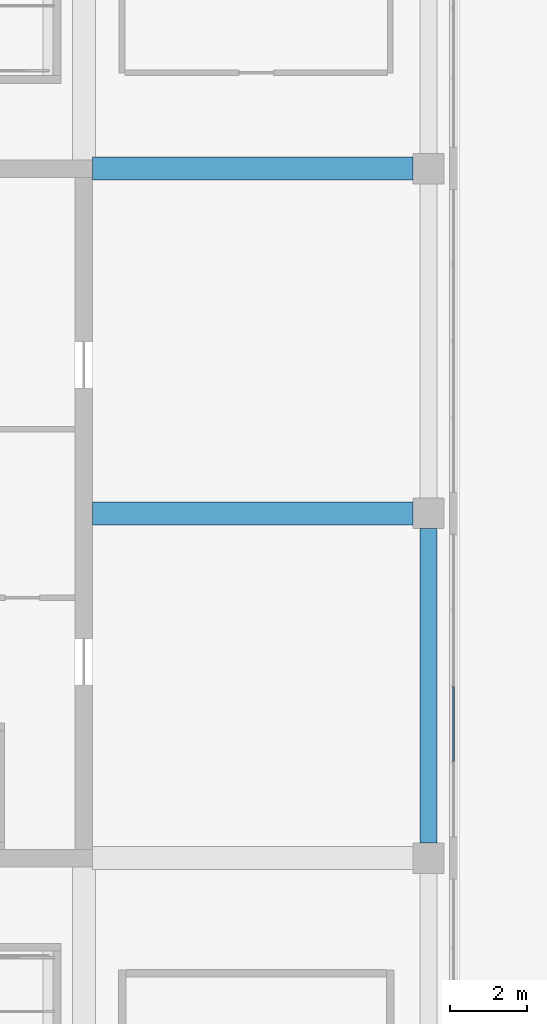
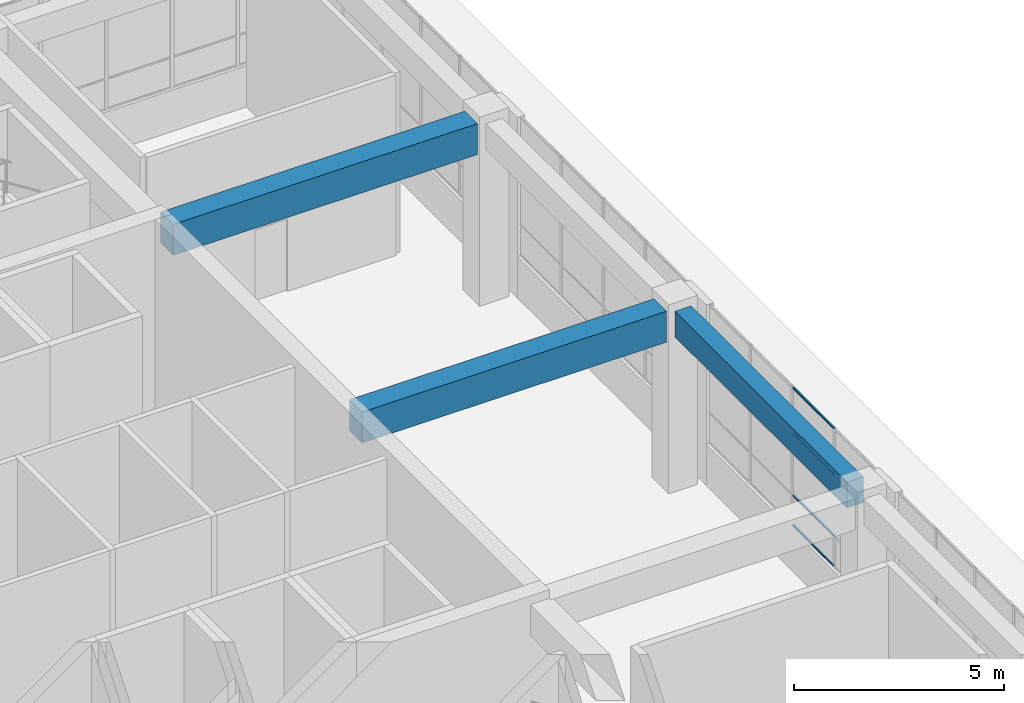
# One storey, part 36 of 72: 4 members, 3 beams, 1 element without a shape of its own.
"""IFC4 building model written with IfcOpenShell, lengths in metres."""

from ifc_helpers import new_model, si_unit, direction, frame, origin, origin_2d, place, context, subcontext, project, spatial, rectangle, hollow_rectangle, extrude, material, layer, layer_set, material_profile, profile_set, type_object, element, aggregate, save


model = new_model("IFC4")

# Units and contexts
model_context = context("Model", 3, precision=1e-05, world=origin(), true_north=direction((0.0, 1.0)))
body_context = subcontext(model_context, "Body", "Model", "MODEL_VIEW")
ifc_project = project(units=[si_unit("LENGTHUNIT", "METRE"), si_unit("AREAUNIT", "SQUARE_METRE"), si_unit("VOLUMEUNIT", "CUBIC_METRE"), si_unit("PLANEANGLEUNIT", "RADIAN"), si_unit("MASSUNIT", "GRAM", prefix="KILO")], contexts=[model_context])

# Site, building, storey
site_placement = place(None, origin())
site = spatial("IfcSite", under=ifc_project, at=site_placement, CompositionType="ELEMENT")
building_placement = place(site_placement, origin())
building = spatial("IfcBuilding", under=site, at=building_placement, Name="Tuart Plaza Theatre", CompositionType="ELEMENT")
storey_placement = place(building_placement, origin())
storey = spatial("IfcBuildingStorey", under=building, at=storey_placement, Name="L00", CompositionType="ELEMENT", Elevation=0.0)

# Beams
ifc_material_1 = material(Name="Concrete N40 (40 MPa)", Category="concrete")
ifc_material_profile_1 = material_profile(ifc_material_1, rectangle(XDim=0.449951171875, YDim=0.75, at=origin_2d()), Name="BEAM 450x750 Concrete N40 (40 MPa)")
ifc_profile_set_1 = profile_set([ifc_material_profile_1], Name="Concrete N40 (40 MPa)")
beam_type_1 = type_object("IfcBeamType", Name="BEAM 450x750 Concrete N40 (40 MPa)", PredefinedType="BEAM", material=ifc_profile_set_1)
beam_placement = place(storey_placement, frame((150.0, 65.39990234375, 4.875), z_axis=(0.0, 1.0, 0.0), x_axis=(-1.0, 0.0, 0.0)))
element("IfcBeam", 1, at=beam_placement, inside=storey, type_object=beam_type_1, Name="RB159", PredefinedType="BEAM", context=body_context, shape_type="SweptSolid", body=[
    extrude(rectangle(XDim=0.449951171875, YDim=0.75, at=origin_2d()), origin(), (0.0, 0.0, 1.0), 8.2001953125),
])
ifc_material_2 = material(Name="Concrete N40 (40 MPa)", Category="concrete")
ifc_material_profile_2 = material_profile(ifc_material_2, rectangle(XDim=0.60009765625, YDim=0.89990234375, at=origin_2d()), Name="BEAM 600x900 Concrete N40 (40 MPa)")
ifc_profile_set_2 = profile_set([ifc_material_profile_2], Name="Concrete N40 (40 MPa)")
beam_type_2 = type_object("IfcBeamType", Name="BEAM 600x900 Concrete N40 (40 MPa)", PredefinedType="BEAM", material=ifc_profile_set_2)
for number, where, z_axis, x_axis, name in (
    (2, (141.22509765625, 74.0, 4.800048828125), (1.0, 0.0, 0.0), (0.0, 1.0, 0.0), "RB155"),
    (3, (141.22509765625, 83.0, 4.800048828125), (1.0, 0.0, 0.0), (0.0, 1.0, 0.0), "RB156"),
):
    element("IfcBeam", number, at=place(storey_placement, frame(where, z_axis=z_axis, x_axis=x_axis)), inside=storey, type_object=beam_type_2, Name=name, PredefinedType="BEAM", context=body_context, shape_type="SweptSolid", body=[
        extrude(rectangle(XDim=0.60009765625, YDim=0.89990234375, at=origin_2d()), origin(), (0.0, 0.0, 1.0), 8.375),
    ])

# Curtain wall, members
ifc_material_3 = material(Name="Aluminium and glass", Category="aluminium")
ifc_layer = layer(ifc_material_3, 0.10009765625)
ifc_layer_set = layer_set([ifc_layer], Name="CURTAIN WALL 2000 module")
curtain_wall_type = type_object("IfcCurtainWallType", Name="CURTAIN WALL 2000 module", PredefinedType="NOTDEFINED", material=ifc_layer_set)
curtain_wall_placement = place(storey_placement, origin())
curtain_wall = element("IfcCurtainWall", 4, at=curtain_wall_placement, inside=storey, type_object=curtain_wall_type, Name="CW49", PredefinedType="NOTDEFINED")
ifc_material_4 = material(Name="Aluminium 6063-T5", Category="aluminium")
ifc_material_profile_3 = material_profile(ifc_material_4, hollow_rectangle(XDim=0.050048828125, YDim=0.050048828125, WallThickness=0.00390625, InnerFilletRadius=0.00390625, OuterFilletRadius=0.008056640625, at=origin_2d()), Name="RHS 50x50x4")
ifc_profile_set_3 = profile_set([ifc_material_profile_3], Name="Aluminium 6063-T5")
member_type = type_object("IfcMemberType", Name="TRANSOM RHS 50x50x4", PredefinedType="USERDEFINED", material=ifc_profile_set_3)
member_1_placement = place(storey_placement, frame((150.64990234375, 67.52490234375, 1.22509765625), z_axis=(0.0, 1.0, 0.0), x_axis=(-1.0, 0.0, 0.0)))
member_1 = element("IfcMember", 5, at=member_1_placement, type_object=member_type, Name="CW49 transom 2.1", ObjectType="TRANSOM", PredefinedType="USERDEFINED", context=body_context, shape_type="SweptSolid", body=[
    extrude(hollow_rectangle(XDim=0.050048828125, YDim=0.050048828125, WallThickness=0.00390625, InnerFilletRadius=0.00390625, OuterFilletRadius=0.008056640625, at=origin_2d()), origin(), (0.0, 0.0, 1.0), 1.9501953125),
])
member_2_placement = place(storey_placement, frame((150.64990234375, 67.52490234375, 2.10009765625), z_axis=(0.0, 1.0, 0.0), x_axis=(-1.0, 0.0, 0.0)))
member_2 = element("IfcMember", 6, at=member_2_placement, type_object=member_type, Name="CW49 transom 2.2", ObjectType="TRANSOM", PredefinedType="USERDEFINED", context=body_context, shape_type="SweptSolid", body=[
    extrude(hollow_rectangle(XDim=0.050048828125, YDim=0.050048828125, WallThickness=0.00390625, InnerFilletRadius=0.00390625, OuterFilletRadius=0.008056640625, at=origin_2d()), origin(), (0.0, 0.0, 1.0), 1.9501953125),
])
member_3_placement = place(storey_placement, frame((150.64990234375, 67.52490234375, 3.89990234375), z_axis=(0.0, 1.0, 0.0), x_axis=(-1.0, 0.0, 0.0)))
member_3 = element("IfcMember", 7, at=member_3_placement, type_object=member_type, Name="CW49 transom 2.3", ObjectType="TRANSOM", PredefinedType="USERDEFINED", context=body_context, shape_type="SweptSolid", body=[
    extrude(hollow_rectangle(XDim=0.050048828125, YDim=0.050048828125, WallThickness=0.00390625, InnerFilletRadius=0.00390625, OuterFilletRadius=0.008056640625, at=origin_2d()), origin(), (0.0, 0.0, 1.0), 1.9501953125),
])
member_4_placement = place(storey_placement, frame((150.64990234375, 67.52490234375, 5.22509765625), z_axis=(0.0, 1.0, 0.0), x_axis=(-1.0, 0.0, 0.0)))
member_4 = element("IfcMember", 8, at=member_4_placement, type_object=member_type, Name="CW49 transom 2.4", ObjectType="TRANSOM", PredefinedType="USERDEFINED", context=body_context, shape_type="SweptSolid", body=[
    extrude(hollow_rectangle(XDim=0.050048828125, YDim=0.050048828125, WallThickness=0.00390625, InnerFilletRadius=0.00390625, OuterFilletRadius=0.008056640625, at=origin_2d()), origin(), (0.0, 0.0, 1.0), 1.9501953125),
])
aggregate(curtain_wall, [member_1, member_2, member_3, member_4])

save(model, "model.ifc")
